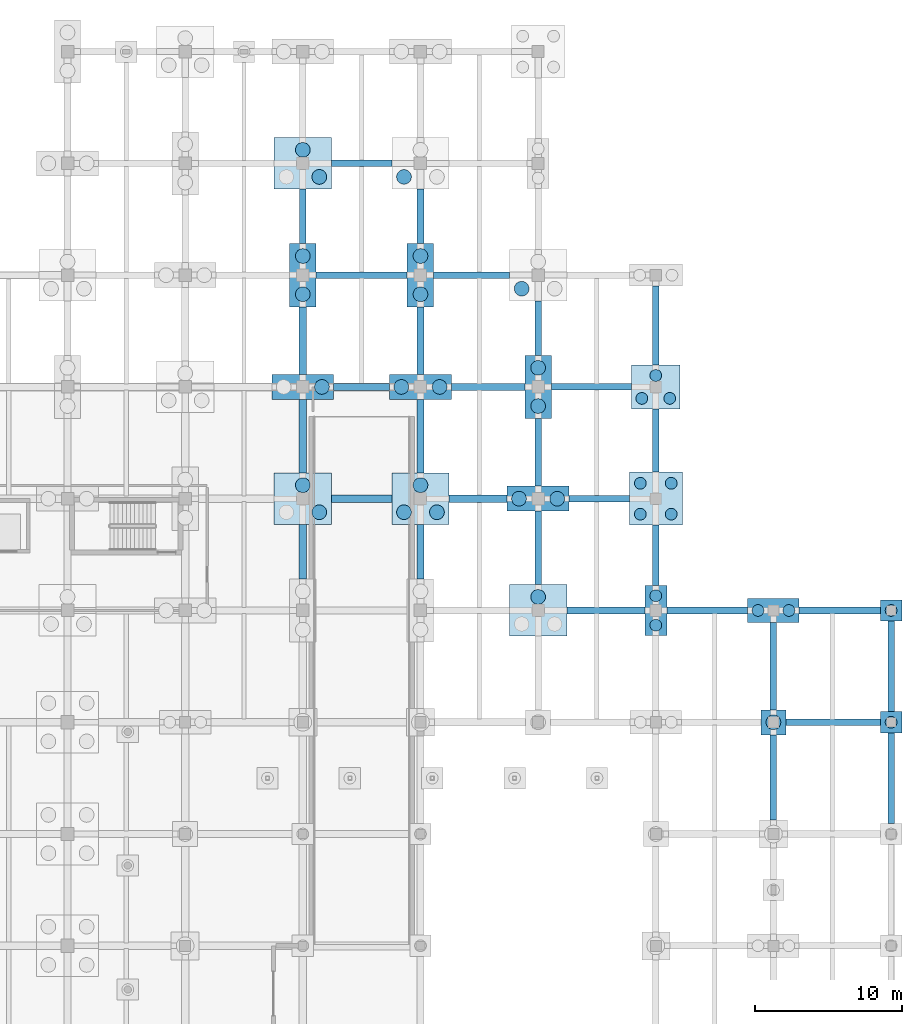
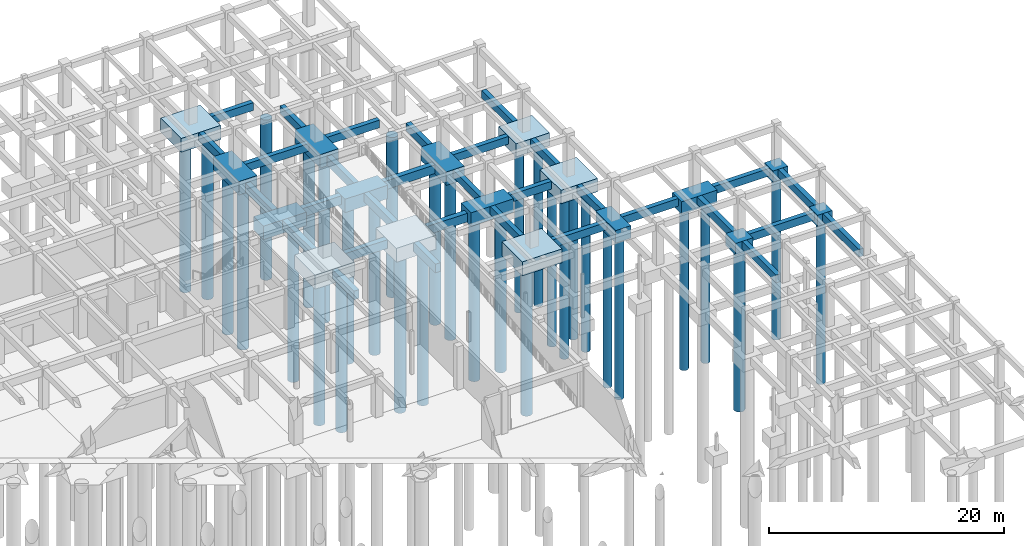
# One storey, part 15 of 49: 48 footings, 35 piles.
"""IFC4 building model written with IfcOpenShell, lengths in metres."""

from ifc_helpers import new_model, si_unit, direction, frame, origin, origin_2d, place, context, subcontext, project, spatial, rectangle, circle, extrude, material, layer, layer_set, material_profile, profile_set, type_object, element, save


model = new_model("IFC4")

# Units and contexts
model_context = context("Model", 3, precision=1e-05, world=origin(), true_north=direction((0.0, 1.0)))
body_context = subcontext(model_context, "Body", "Model", "MODEL_VIEW")
ifc_project = project(units=[si_unit("LENGTHUNIT", "METRE"), si_unit("AREAUNIT", "SQUARE_METRE"), si_unit("VOLUMEUNIT", "CUBIC_METRE"), si_unit("PLANEANGLEUNIT", "RADIAN"), si_unit("MASSUNIT", "GRAM", prefix="KILO")], contexts=[model_context])

# Site, building, storey
site_placement = place(None, origin())
site = spatial("IfcSite", under=ifc_project, at=site_placement, CompositionType="ELEMENT")
building_placement = place(site_placement, origin())
building = spatial("IfcBuilding", under=site, at=building_placement, Name="Zantavel Square City Hall", CompositionType="ELEMENT")
storey_placement = place(building_placement, frame((0.0, 0.0, -4.5)))
storey = spatial("IfcBuildingStorey", under=building, at=storey_placement, Name="B1", CompositionType="ELEMENT", Elevation=-4.5)

# Piles
ifc_material_1 = material(Name="Concrete C35/45", Category="concrete")
ifc_material_profile_1 = material_profile(ifc_material_1, circle(Radius=0.5, at=origin_2d()), Name="PILE D1000")
ifc_profile_set_1 = profile_set([ifc_material_profile_1], Name="Concrete C35/45")
pile_type_1 = type_object("IfcPileType", Name="Bored Pile D1000 Concrete C35/45", PredefinedType="BORED", material=ifc_profile_set_1)
for number, where, z_axis, x_axis, name in (
    (1, (129.1201171875, 82.679931640625, -1.75), (0.0, 0.0, -1.0), (1.0, 0.0, 0.0), "Bored Pile FDN-PL-1280-0836-2"),
    (2, (128.0, 84.52001953125, -1.75), (0.0, 0.0, -1.0), (1.0, 0.0, 0.0), "Bored Pile FDN-PL-1280-0836-3"),
):
    element("IfcPile", number, at=place(storey_placement, frame(where, z_axis=z_axis, x_axis=x_axis)), inside=storey, type_object=pile_type_1, Name=name, PredefinedType="BORED", context=body_context, shape_type="SweptSolid", body=[
        extrude(circle(Radius=0.5, at=origin_2d()), origin(), (0.0, 0.0, 1.0), 16.25),
    ])
pile_1_placement = place(storey_placement, frame((129.300048828125, 91.199951171875, -1.699951171875), z_axis=(0.0, 0.0, -1.0), x_axis=(1.0, 0.0, 0.0)))
element("IfcPile", 3, at=pile_1_placement, inside=storey, type_object=pile_type_1, Name="Bored Pile FDN-PL-1280-0912-2", PredefinedType="BORED", context=body_context, shape_type="SweptSolid", body=[
    extrude(circle(Radius=0.5, at=origin_2d()), origin(), (0.0, 0.0, 1.0), 16.300048828125),
])
for number, where, z_axis, x_axis, name in (
    (4, (128.0, 97.5, -1.300048828125), (0.0, 0.0, -1.0), (1.0, 0.0, 0.0), "Bored Pile FDN-PL-1280-0988-1"),
    (5, (128.0, 100.10009765625, -1.300048828125), (0.0, 0.0, -1.0), (1.0, 0.0, 0.0), "Bored Pile FDN-PL-1280-0988-2"),
):
    element("IfcPile", number, at=place(storey_placement, frame(where, z_axis=z_axis, x_axis=x_axis)), inside=storey, type_object=pile_type_1, Name=name, PredefinedType="BORED", context=body_context, shape_type="SweptSolid", body=[
        extrude(circle(Radius=0.5, at=origin_2d()), origin(), (0.0, 0.0, 1.0), 16.699951171875),
    ])
for number, where, z_axis, x_axis, name in (
    (6, (129.1201171875, 105.47998046875, -1.35009765625), (0.0, 0.0, -1.0), (1.0, 0.0, 0.0), "Bored Pile FDN-PL-1280-1064-2"),
    (7, (128.0, 107.320068359375, -1.35009765625), (0.0, 0.0, -1.0), (1.0, 0.0, 0.0), "Bored Pile FDN-PL-1280-1064-3"),
):
    element("IfcPile", number, at=place(storey_placement, frame(where, z_axis=z_axis, x_axis=x_axis)), inside=storey, type_object=pile_type_1, Name=name, PredefinedType="BORED", context=body_context, shape_type="SweptSolid", body=[
        extrude(circle(Radius=0.5, at=origin_2d()), origin(), (0.0, 0.0, 1.0), 16.64990234375),
    ])
for number, where, z_axis, x_axis, name in (
    (8, (134.8798828125, 82.679931640625, -1.75), (0.0, 0.0, -1.0), (1.0, 0.0, 0.0), "Bored Pile FDN-PL-1360-0836-1"),
    (9, (137.1201171875, 82.679931640625, -1.75), (0.0, 0.0, -1.0), (1.0, 0.0, 0.0), "Bored Pile FDN-PL-1360-0836-2"),
    (10, (136.0, 84.52001953125, -1.75), (0.0, 0.0, -1.0), (1.0, 0.0, 0.0), "Bored Pile FDN-PL-1360-0836-3"),
):
    element("IfcPile", number, at=place(storey_placement, frame(where, z_axis=z_axis, x_axis=x_axis)), inside=storey, type_object=pile_type_1, Name=name, PredefinedType="BORED", context=body_context, shape_type="SweptSolid", body=[
        extrude(circle(Radius=0.5, at=origin_2d()), origin(), (0.0, 0.0, 1.0), 16.25),
    ])
for number, where, z_axis, x_axis, name in (
    (11, (134.699951171875, 91.199951171875, -1.699951171875), (0.0, 0.0, -1.0), (1.0, 0.0, 0.0), "Bored Pile FDN-PL-1360-0912-1"),
    (12, (137.300048828125, 91.199951171875, -1.699951171875), (0.0, 0.0, -1.0), (1.0, 0.0, 0.0), "Bored Pile FDN-PL-1360-0912-2"),
):
    element("IfcPile", number, at=place(storey_placement, frame(where, z_axis=z_axis, x_axis=x_axis)), inside=storey, type_object=pile_type_1, Name=name, PredefinedType="BORED", context=body_context, shape_type="SweptSolid", body=[
        extrude(circle(Radius=0.5, at=origin_2d()), origin(), (0.0, 0.0, 1.0), 16.300048828125),
    ])
for number, where, z_axis, x_axis, name in (
    (13, (136.0, 97.5, -1.300048828125), (0.0, 0.0, -1.0), (1.0, 0.0, 0.0), "Bored Pile FDN-PL-1360-0988-1"),
    (14, (136.0, 100.10009765625, -1.300048828125), (0.0, 0.0, -1.0), (1.0, 0.0, 0.0), "Bored Pile FDN-PL-1360-0988-2"),
):
    element("IfcPile", number, at=place(storey_placement, frame(where, z_axis=z_axis, x_axis=x_axis)), inside=storey, type_object=pile_type_1, Name=name, PredefinedType="BORED", context=body_context, shape_type="SweptSolid", body=[
        extrude(circle(Radius=0.5, at=origin_2d()), origin(), (0.0, 0.0, 1.0), 16.699951171875),
    ])
for number, where, z_axis, x_axis, name in (
    (15, (134.8798828125, 105.47998046875, -1.35009765625), (0.0, 0.0, -1.0), (1.0, 0.0, 0.0), "Bored Pile FDN-PL-1360-1064-1"),
    (16, (144.0, 76.919921875, -1.35009765625), (0.0, 0.0, -1.0), (1.0, 0.0, 0.0), "Bored Pile FDN-PL-1440-0760-3"),
):
    element("IfcPile", number, at=place(storey_placement, frame(where, z_axis=z_axis, x_axis=x_axis)), inside=storey, type_object=pile_type_1, Name=name, PredefinedType="BORED", context=body_context, shape_type="SweptSolid", body=[
        extrude(circle(Radius=0.5, at=origin_2d()), origin(), (0.0, 0.0, 1.0), 16.64990234375),
    ])
for number, where, z_axis, x_axis, name in (
    (17, (142.699951171875, 83.60009765625, -1.300048828125), (0.0, 0.0, -1.0), (1.0, 0.0, 0.0), "Bored Pile FDN-PL-1440-0836-1"),
    (18, (145.300048828125, 83.60009765625, -1.300048828125), (0.0, 0.0, -1.0), (1.0, 0.0, 0.0), "Bored Pile FDN-PL-1440-0836-2"),
    (19, (144.0, 89.89990234375, -1.300048828125), (0.0, 0.0, -1.0), (1.0, 0.0, 0.0), "Bored Pile FDN-PL-1440-0912-1"),
    (20, (144.0, 92.5, -1.300048828125), (0.0, 0.0, -1.0), (1.0, 0.0, 0.0), "Bored Pile FDN-PL-1440-0912-2"),
):
    element("IfcPile", number, at=place(storey_placement, frame(where, z_axis=z_axis, x_axis=x_axis)), inside=storey, type_object=pile_type_1, Name=name, PredefinedType="BORED", context=body_context, shape_type="SweptSolid", body=[
        extrude(circle(Radius=0.5, at=origin_2d()), origin(), (0.0, 0.0, 1.0), 16.699951171875),
    ])
pile_2_placement = place(storey_placement, frame((142.8798828125, 97.8798828125, -1.35009765625), z_axis=(0.0, 0.0, -1.0), x_axis=(1.0, 0.0, 0.0)))
element("IfcPile", 21, at=pile_2_placement, inside=storey, type_object=pile_type_1, Name="Bored Pile FDN-PL-1440-0988-1", PredefinedType="BORED", context=body_context, shape_type="SweptSolid", body=[
    extrude(circle(Radius=0.5, at=origin_2d()), origin(), (0.0, 0.0, 1.0), 16.64990234375),
])
pile_3_placement = place(storey_placement, frame((160.0, 68.39990234375, -1.14990234375), z_axis=(0.0, 0.0, -1.0), x_axis=(1.0, 0.0, 0.0)))
element("IfcPile", 22, at=pile_3_placement, inside=storey, type_object=pile_type_1, Name="Bored Pile FDN-PL-1600-0684-1", PredefinedType="BORED", context=body_context, shape_type="SweptSolid", body=[
    extrude(circle(Radius=0.5, at=origin_2d()), origin(), (0.0, 0.0, 1.0), 16.85009765625),
])
ifc_material_profile_2 = material_profile(ifc_material_1, circle(Radius=0.39990234375, at=origin_2d()), Name="PILE D800")
ifc_profile_set_2 = profile_set([ifc_material_profile_2], Name="Concrete C35/45")
pile_type_2 = type_object("IfcPileType", Name="Bored Pile D800 Concrete C35/45", PredefinedType="BORED", material=ifc_profile_set_2)
for number, where, z_axis, x_axis, name in (
    (23, (152.0, 75.0, -1.199951171875), (0.0, 0.0, -1.0), (1.0, 0.0, 0.0), "Bored Pile FDN-PL-1520-0760-1"),
    (24, (152.0, 77.0, -1.199951171875), (0.0, 0.0, -1.0), (1.0, 0.0, 0.0), "Bored Pile FDN-PL-1520-0760-2"),
):
    element("IfcPile", number, at=place(storey_placement, frame(where, z_axis=z_axis, x_axis=x_axis)), inside=storey, type_object=pile_type_2, Name=name, PredefinedType="BORED", context=body_context, shape_type="SweptSolid", body=[
        extrude(circle(Radius=0.39990234375, at=origin_2d()), origin(), (0.0, 0.0, 1.0), 16.800048828125),
    ])
for number, where, z_axis, x_axis, name in (
    (25, (150.949951171875, 82.550048828125, -1.300048828125), (0.0, 0.0, -1.0), (1.0, 0.0, 0.0), "Bored Pile FDN-PL-1520-0836-1"),
    (26, (153.050048828125, 82.550048828125, -1.300048828125), (0.0, 0.0, -1.0), (1.0, 0.0, 0.0), "Bored Pile FDN-PL-1520-0836-2"),
    (27, (150.949951171875, 84.64990234375, -1.300048828125), (0.0, 0.0, -1.0), (1.0, 0.0, 0.0), "Bored Pile FDN-PL-1520-0836-3"),
    (28, (153.050048828125, 84.64990234375, -1.300048828125), (0.0, 0.0, -1.0), (1.0, 0.0, 0.0), "Bored Pile FDN-PL-1520-0836-4"),
):
    element("IfcPile", number, at=place(storey_placement, frame(where, z_axis=z_axis, x_axis=x_axis)), inside=storey, type_object=pile_type_2, Name=name, PredefinedType="BORED", context=body_context, shape_type="SweptSolid", body=[
        extrude(circle(Radius=0.39990234375, at=origin_2d()), origin(), (0.0, 0.0, 1.0), 16.699951171875),
    ])
for number, where, z_axis, x_axis, name in (
    (29, (151.050048828125, 90.419921875, -1.25), (0.0, 0.0, -1.0), (1.0, 0.0, 0.0), "Bored Pile FDN-PL-1520-0912-1"),
    (30, (152.949951171875, 90.419921875, -1.25), (0.0, 0.0, -1.0), (1.0, 0.0, 0.0), "Bored Pile FDN-PL-1520-0912-2"),
    (31, (152.0, 91.97998046875, -1.25), (0.0, 0.0, -1.0), (1.0, 0.0, 0.0), "Bored Pile FDN-PL-1520-0912-3"),
):
    element("IfcPile", number, at=place(storey_placement, frame(where, z_axis=z_axis, x_axis=x_axis)), inside=storey, type_object=pile_type_2, Name=name, PredefinedType="BORED", context=body_context, shape_type="SweptSolid", body=[
        extrude(circle(Radius=0.39990234375, at=origin_2d()), origin(), (0.0, 0.0, 1.0), 16.75),
    ])
for number, where, z_axis, x_axis, name in (
    (32, (158.949951171875, 76.0, -1.199951171875), (0.0, 0.0, -1.0), (1.0, 0.0, 0.0), "Bored Pile FDN-PL-1600-0760-1"),
    (33, (161.050048828125, 76.0, -1.199951171875), (0.0, 0.0, -1.0), (1.0, 0.0, 0.0), "Bored Pile FDN-PL-1600-0760-2"),
):
    element("IfcPile", number, at=place(storey_placement, frame(where, z_axis=z_axis, x_axis=x_axis)), inside=storey, type_object=pile_type_2, Name=name, PredefinedType="BORED", context=body_context, shape_type="SweptSolid", body=[
        extrude(circle(Radius=0.39990234375, at=origin_2d()), origin(), (0.0, 0.0, 1.0), 16.800048828125),
    ])
for number, where, z_axis, x_axis, name in (
    (34, (168.0, 68.39990234375, -1.10009765625), (0.0, 0.0, -1.0), (1.0, 0.0, 0.0), "Bored Pile FDN-PL-1680-0684-1"),
    (35, (168.0, 76.0, -1.10009765625), (0.0, 0.0, -1.0), (1.0, 0.0, 0.0), "Bored Pile FDN-PL-1680-0760-1"),
):
    element("IfcPile", number, at=place(storey_placement, frame(where, z_axis=z_axis, x_axis=x_axis)), inside=storey, type_object=pile_type_2, Name=name, PredefinedType="BORED", context=body_context, shape_type="SweptSolid", body=[
        extrude(circle(Radius=0.39990234375, at=origin_2d()), origin(), (0.0, 0.0, 1.0), 16.89990234375),
    ])

# Footings
ifc_material_profile_3 = material_profile(ifc_material_1, rectangle(XDim=0.449951171875, YDim=0.800048828125, at=origin_2d()), Name="RC 450x800")
ifc_profile_set_3 = profile_set([ifc_material_profile_3], Name="Concrete C35/45")
footing_type_1 = type_object("IfcFootingType", Name="Courtyard Grade Tie Beam 450x800 C35/45", PredefinedType="FOOTING_BEAM", material=ifc_profile_set_3)
footing_1_placement = place(storey_placement, frame((128.89990234375, 98.800048828125, -0.39990234375), z_axis=(1.0, 0.0, 0.0), x_axis=(0.0, 1.0, 0.0)))
element("IfcFooting", 36, at=footing_1_placement, inside=storey, type_object=footing_type_1, Name="Grade Tie Beam FDN-GTBX-1280-0988", PredefinedType="FOOTING_BEAM", context=body_context, shape_type="SweptSolid", body=[
    extrude(rectangle(XDim=0.449951171875, YDim=0.800048828125, at=origin_2d()), origin(), (0.0, 0.0, 1.0), 6.2001953125),
])
footing_2_placement = place(storey_placement, frame((128.0, 100.949951171875, -0.39990234375), z_axis=(0.0, 1.0, 0.0), x_axis=(-1.0, 0.0, 0.0)))
element("IfcFooting", 37, at=footing_2_placement, inside=storey, type_object=footing_type_1, Name="Grade Tie Beam FDN-GTBY-1280-0988", PredefinedType="FOOTING_BEAM", context=body_context, shape_type="SweptSolid", body=[
    extrude(rectangle(XDim=0.449951171875, YDim=0.800048828125, at=origin_2d()), origin(), (0.0, 0.0, 1.0), 3.699951171875),
])
footing_3_placement = place(storey_placement, frame((129.949951171875, 106.39990234375, -0.39990234375), z_axis=(1.0, 0.0, 0.0), x_axis=(0.0, 1.0, 0.0)))
element("IfcFooting", 38, at=footing_3_placement, inside=storey, type_object=footing_type_1, Name="Grade Tie Beam FDN-GTBX-1280-1064", PredefinedType="FOOTING_BEAM", context=body_context, shape_type="SweptSolid", body=[
    extrude(rectangle(XDim=0.449951171875, YDim=0.800048828125, at=origin_2d()), origin(), (0.0, 0.0, 1.0), 4.10009765625),
])
footing_4_placement = place(storey_placement, frame((136.89990234375, 98.800048828125, -0.39990234375), z_axis=(1.0, 0.0, 0.0), x_axis=(0.0, 1.0, 0.0)))
element("IfcFooting", 39, at=footing_4_placement, inside=storey, type_object=footing_type_1, Name="Grade Tie Beam FDN-GTBX-1360-0988", PredefinedType="FOOTING_BEAM", context=body_context, shape_type="SweptSolid", body=[
    extrude(rectangle(XDim=0.449951171875, YDim=0.800048828125, at=origin_2d()), origin(), (0.0, 0.0, 1.0), 5.150146484375),
])
footing_5_placement = place(storey_placement, frame((136.0, 100.949951171875, -0.39990234375), z_axis=(0.0, 1.0, 0.0), x_axis=(-1.0, 0.0, 0.0)))
element("IfcFooting", 40, at=footing_5_placement, inside=storey, type_object=footing_type_1, Name="Grade Tie Beam FDN-GTBY-1360-0988", PredefinedType="FOOTING_BEAM", context=body_context, shape_type="SweptSolid", body=[
    extrude(rectangle(XDim=0.449951171875, YDim=0.800048828125, at=origin_2d()), origin(), (0.0, 0.0, 1.0), 3.699951171875),
])
footing_6_placement = place(storey_placement, frame((145.949951171875, 76.0, -0.39990234375), z_axis=(1.0, 0.0, 0.0), x_axis=(0.0, 1.0, 0.0)))
element("IfcFooting", 41, at=footing_6_placement, inside=storey, type_object=footing_type_1, Name="Grade Tie Beam FDN-GTBX-1440-0760", PredefinedType="FOOTING_BEAM", context=body_context, shape_type="SweptSolid", body=[
    extrude(rectangle(XDim=0.449951171875, YDim=0.800048828125, at=origin_2d()), origin(), (0.0, 0.0, 1.0), 5.300048828125),
])
footing_7_placement = place(storey_placement, frame((144.0, 77.75, -0.39990234375), z_axis=(0.0, 1.0, 0.0), x_axis=(-1.0, 0.0, 0.0)))
element("IfcFooting", 42, at=footing_7_placement, inside=storey, type_object=footing_type_1, Name="Grade Tie Beam FDN-GTBY-1440-0760", PredefinedType="FOOTING_BEAM", context=body_context, shape_type="SweptSolid", body=[
    extrude(rectangle(XDim=0.449951171875, YDim=0.800048828125, at=origin_2d()), origin(), (0.0, 0.0, 1.0), 5.0),
])
footing_8_placement = place(storey_placement, frame((146.10009765625, 83.60009765625, -0.39990234375), z_axis=(1.0, 0.0, 0.0), x_axis=(0.0, 1.0, 0.0)))
element("IfcFooting", 43, at=footing_8_placement, inside=storey, type_object=footing_type_1, Name="Grade Tie Beam FDN-GTBX-1440-0836", PredefinedType="FOOTING_BEAM", context=body_context, shape_type="SweptSolid", body=[
    extrude(rectangle(XDim=0.449951171875, YDim=0.800048828125, at=origin_2d()), origin(), (0.0, 0.0, 1.0), 4.099853515625),
])
footing_9_placement = place(storey_placement, frame((144.0, 84.449951171875, -0.39990234375), z_axis=(0.0, 1.0, 0.0), x_axis=(-1.0, 0.0, 0.0)))
element("IfcFooting", 44, at=footing_9_placement, inside=storey, type_object=footing_type_1, Name="Grade Tie Beam FDN-GTBY-1440-0836", PredefinedType="FOOTING_BEAM", context=body_context, shape_type="SweptSolid", body=[
    extrude(rectangle(XDim=0.449951171875, YDim=0.800048828125, at=origin_2d()), origin(), (0.0, 0.0, 1.0), 4.60009765625),
])
footing_10_placement = place(storey_placement, frame((144.89990234375, 91.199951171875, -0.39990234375), z_axis=(1.0, 0.0, 0.0), x_axis=(0.0, 1.0, 0.0)))
element("IfcFooting", 45, at=footing_10_placement, inside=storey, type_object=footing_type_1, Name="Grade Tie Beam FDN-GTBX-1440-0912", PredefinedType="FOOTING_BEAM", context=body_context, shape_type="SweptSolid", body=[
    extrude(rectangle(XDim=0.449951171875, YDim=0.800048828125, at=origin_2d()), origin(), (0.0, 0.0, 1.0), 5.4501953125),
])
footing_11_placement = place(storey_placement, frame((144.0, 93.35009765625, -0.39990234375), z_axis=(0.0, 1.0, 0.0), x_axis=(-1.0, 0.0, 0.0)))
element("IfcFooting", 46, at=footing_11_placement, inside=storey, type_object=footing_type_1, Name="Grade Tie Beam FDN-GTBY-1440-0912", PredefinedType="FOOTING_BEAM", context=body_context, shape_type="SweptSolid", body=[
    extrude(rectangle(XDim=0.449951171875, YDim=0.800048828125, at=origin_2d()), origin(), (0.0, 0.0, 1.0), 3.699951171875),
])
footing_12_placement = place(storey_placement, frame((152.75, 76.0, -0.39990234375), z_axis=(1.0, 0.0, 0.0), x_axis=(0.0, 1.0, 0.0)))
element("IfcFooting", 47, at=footing_12_placement, inside=storey, type_object=footing_type_1, Name="Grade Tie Beam FDN-GTBX-1520-0760", PredefinedType="FOOTING_BEAM", context=body_context, shape_type="SweptSolid", body=[
    extrude(rectangle(XDim=0.449951171875, YDim=0.800048828125, at=origin_2d()), origin(), (0.0, 0.0, 1.0), 5.5),
])
footing_13_placement = place(storey_placement, frame((152.0, 77.699951171875, -0.39990234375), z_axis=(0.0, 1.0, 0.0), x_axis=(-1.0, 0.0, 0.0)))
element("IfcFooting", 48, at=footing_13_placement, inside=storey, type_object=footing_type_1, Name="Grade Tie Beam FDN-GTBY-1520-0760", PredefinedType="FOOTING_BEAM", context=body_context, shape_type="SweptSolid", body=[
    extrude(rectangle(XDim=0.449951171875, YDim=0.800048828125, at=origin_2d()), origin(), (0.0, 0.0, 1.0), 4.10009765625),
])
footing_14_placement = place(storey_placement, frame((152.0, 85.39990234375, -0.39990234375), z_axis=(0.0, 1.0, 0.0), x_axis=(-1.0, 0.0, 0.0)))
element("IfcFooting", 49, at=footing_14_placement, inside=storey, type_object=footing_type_1, Name="Grade Tie Beam FDN-GTBY-1520-0836", PredefinedType="FOOTING_BEAM", context=body_context, shape_type="SweptSolid", body=[
    extrude(rectangle(XDim=0.449951171875, YDim=0.800048828125, at=origin_2d()), origin(), (0.0, 0.0, 1.0), 4.300048828125),
])
footing_15_placement = place(storey_placement, frame((152.0, 92.699951171875, -0.39990234375), z_axis=(0.0, 1.0, 0.0), x_axis=(-1.0, 0.0, 0.0)))
element("IfcFooting", 50, at=footing_15_placement, inside=storey, type_object=footing_type_1, Name="Grade Tie Beam FDN-GTBY-1520-0912", PredefinedType="FOOTING_BEAM", context=body_context, shape_type="SweptSolid", body=[
    extrude(rectangle(XDim=0.449951171875, YDim=0.800048828125, at=origin_2d()), origin(), (0.0, 0.0, 1.0), 5.35009765625),
])
footing_16_placement = place(storey_placement, frame((160.0, 61.75, -0.39990234375), z_axis=(0.0, 1.0, 0.0), x_axis=(-1.0, 0.0, 0.0)))
element("IfcFooting", 51, at=footing_16_placement, inside=storey, type_object=footing_type_1, Name="Grade Tie Beam FDN-GTBY-1600-0608", PredefinedType="FOOTING_BEAM", context=body_context, shape_type="SweptSolid", body=[
    extrude(rectangle(XDim=0.449951171875, YDim=0.800048828125, at=origin_2d()), origin(), (0.0, 0.0, 1.0), 5.800048828125),
])
footing_17_placement = place(storey_placement, frame((160.85009765625, 68.39990234375, -0.39990234375), z_axis=(1.0, 0.0, 0.0), x_axis=(0.0, 1.0, 0.0)))
element("IfcFooting", 52, at=footing_17_placement, inside=storey, type_object=footing_type_1, Name="Grade Tie Beam FDN-GTBX-1600-0684", PredefinedType="FOOTING_BEAM", context=body_context, shape_type="SweptSolid", body=[
    extrude(rectangle(XDim=0.449951171875, YDim=0.800048828125, at=origin_2d()), origin(), (0.0, 0.0, 1.0), 6.4248046875),
])
footing_18_placement = place(storey_placement, frame((160.0, 69.25, -0.39990234375), z_axis=(0.0, 1.0, 0.0), x_axis=(-1.0, 0.0, 0.0)))
element("IfcFooting", 53, at=footing_18_placement, inside=storey, type_object=footing_type_1, Name="Grade Tie Beam FDN-GTBY-1600-0684", PredefinedType="FOOTING_BEAM", context=body_context, shape_type="SweptSolid", body=[
    extrude(rectangle(XDim=0.449951171875, YDim=0.800048828125, at=origin_2d()), origin(), (0.0, 0.0, 1.0), 5.949951171875),
])
footing_19_placement = place(storey_placement, frame((161.75, 76.0, -0.39990234375), z_axis=(1.0, 0.0, 0.0), x_axis=(0.0, 1.0, 0.0)))
element("IfcFooting", 54, at=footing_19_placement, inside=storey, type_object=footing_type_1, Name="Grade Tie Beam FDN-GTBX-1600-0760", PredefinedType="FOOTING_BEAM", context=body_context, shape_type="SweptSolid", body=[
    extrude(rectangle(XDim=0.449951171875, YDim=0.800048828125, at=origin_2d()), origin(), (0.0, 0.0, 1.0), 5.52490234375),
])
footing_20_placement = place(storey_placement, frame((168.0, 61.52490234375, -0.39990234375), z_axis=(0.0, 1.0, 0.0), x_axis=(-1.0, 0.0, 0.0)))
element("IfcFooting", 55, at=footing_20_placement, inside=storey, type_object=footing_type_1, Name="Grade Tie Beam FDN-GTBY-1680-0608", PredefinedType="FOOTING_BEAM", context=body_context, shape_type="SweptSolid", body=[
    extrude(rectangle(XDim=0.449951171875, YDim=0.800048828125, at=origin_2d()), origin(), (0.0, 0.0, 1.0), 6.150146484375),
])
footing_21_placement = place(storey_placement, frame((168.0, 69.125, -0.39990234375), z_axis=(0.0, 1.0, 0.0), x_axis=(-1.0, 0.0, 0.0)))
element("IfcFooting", 56, at=footing_21_placement, inside=storey, type_object=footing_type_1, Name="Grade Tie Beam FDN-GTBY-1680-0684", PredefinedType="FOOTING_BEAM", context=body_context, shape_type="SweptSolid", body=[
    extrude(rectangle(XDim=0.449951171875, YDim=0.800048828125, at=origin_2d()), origin(), (0.0, 0.0, 1.0), 6.14990234375),
])
ifc_material_profile_4 = material_profile(ifc_material_1, rectangle(XDim=0.5, YDim=0.89990234375, at=origin_2d()), Name="RC 500x900")
ifc_profile_set_4 = profile_set([ifc_material_profile_4], Name="Concrete C35/45")
footing_type_2 = type_object("IfcFootingType", Name="Grade Tie Beam 500x900 Concrete C35/45", PredefinedType="FOOTING_BEAM", material=ifc_profile_set_4)
footing_22_placement = place(storey_placement, frame((128.0, 78.14990234375, -0.85009765625), z_axis=(0.0, 1.0, 0.0), x_axis=(-1.0, 0.0, 0.0)))
element("IfcFooting", 57, at=footing_22_placement, inside=storey, type_object=footing_type_2, Name="Grade Tie Beam FDN-GTBY-1280-0760", PredefinedType="FOOTING_BEAM", context=body_context, shape_type="SweptSolid", body=[
    extrude(rectangle(XDim=0.5, YDim=0.89990234375, at=origin_2d()), origin(), (0.0, 0.0, 1.0), 3.7001953125),
])
footing_23_placement = place(storey_placement, frame((129.949951171875, 83.60009765625, -0.85009765625), z_axis=(1.0, 0.0, 0.0), x_axis=(0.0, 1.0, 0.0)))
element("IfcFooting", 58, at=footing_23_placement, inside=storey, type_object=footing_type_2, Name="Grade Tie Beam FDN-GTBX-1280-0836", PredefinedType="FOOTING_BEAM", context=body_context, shape_type="SweptSolid", body=[
    extrude(rectangle(XDim=0.5, YDim=0.89990234375, at=origin_2d()), origin(), (0.0, 0.0, 1.0), 4.10009765625),
])
footing_24_placement = place(storey_placement, frame((128.0, 85.35009765625, -0.85009765625), z_axis=(0.0, 1.0, 0.0), x_axis=(-1.0, 0.0, 0.0)))
element("IfcFooting", 59, at=footing_24_placement, inside=storey, type_object=footing_type_2, Name="Grade Tie Beam FDN-GTBY-1280-0836", PredefinedType="FOOTING_BEAM", context=body_context, shape_type="SweptSolid", body=[
    extrude(rectangle(XDim=0.5, YDim=0.89990234375, at=origin_2d()), origin(), (0.0, 0.0, 1.0), 5.0),
])
footing_25_placement = place(storey_placement, frame((130.10009765625, 91.199951171875, -0.85009765625), z_axis=(1.0, 0.0, 0.0), x_axis=(0.0, 1.0, 0.0)))
element("IfcFooting", 60, at=footing_25_placement, inside=storey, type_object=footing_type_2, Name="Grade Tie Beam FDN-GTBX-1280-0912", PredefinedType="FOOTING_BEAM", context=body_context, shape_type="SweptSolid", body=[
    extrude(rectangle(XDim=0.5, YDim=0.89990234375, at=origin_2d()), origin(), (0.0, 0.0, 1.0), 3.7998046875),
])
footing_26_placement = place(storey_placement, frame((128.0, 92.050048828125, -0.85009765625), z_axis=(0.0, 1.0, 0.0), x_axis=(-1.0, 0.0, 0.0)))
element("IfcFooting", 61, at=footing_26_placement, inside=storey, type_object=footing_type_2, Name="Grade Tie Beam FDN-GTBY-1280-0912", PredefinedType="FOOTING_BEAM", context=body_context, shape_type="SweptSolid", body=[
    extrude(rectangle(XDim=0.5, YDim=0.89990234375, at=origin_2d()), origin(), (0.0, 0.0, 1.0), 4.599853515625),
])
footing_27_placement = place(storey_placement, frame((136.0, 78.14990234375, -0.85009765625), z_axis=(0.0, 1.0, 0.0), x_axis=(-1.0, 0.0, 0.0)))
element("IfcFooting", 62, at=footing_27_placement, inside=storey, type_object=footing_type_2, Name="Grade Tie Beam FDN-GTBY-1360-0760", PredefinedType="FOOTING_BEAM", context=body_context, shape_type="SweptSolid", body=[
    extrude(rectangle(XDim=0.5, YDim=0.89990234375, at=origin_2d()), origin(), (0.0, 0.0, 1.0), 3.7001953125),
])
footing_28_placement = place(storey_placement, frame((137.949951171875, 83.60009765625, -0.85009765625), z_axis=(1.0, 0.0, 0.0), x_axis=(0.0, 1.0, 0.0)))
element("IfcFooting", 63, at=footing_28_placement, inside=storey, type_object=footing_type_2, Name="Grade Tie Beam FDN-GTBX-1360-0836", PredefinedType="FOOTING_BEAM", context=body_context, shape_type="SweptSolid", body=[
    extrude(rectangle(XDim=0.5, YDim=0.89990234375, at=origin_2d()), origin(), (0.0, 0.0, 1.0), 3.949951171875),
])
for number, where, z_axis, x_axis, name in (
    (64, (136.0, 85.35009765625, -0.85009765625), (0.0, 1.0, 0.0), (-1.0, 0.0, 0.0), "Grade Tie Beam FDN-GTBY-1360-0836"),
    (65, (138.10009765625, 91.199951171875, -0.85009765625), (1.0, 0.0, 0.0), (0.0, 1.0, 0.0), "Grade Tie Beam FDN-GTBX-1360-0912"),
):
    element("IfcFooting", number, at=place(storey_placement, frame(where, z_axis=z_axis, x_axis=x_axis)), inside=storey, type_object=footing_type_2, Name=name, PredefinedType="FOOTING_BEAM", context=body_context, shape_type="SweptSolid", body=[
        extrude(rectangle(XDim=0.5, YDim=0.89990234375, at=origin_2d()), origin(), (0.0, 0.0, 1.0), 5.0),
    ])
footing_29_placement = place(storey_placement, frame((136.0, 92.050048828125, -0.85009765625), z_axis=(0.0, 1.0, 0.0), x_axis=(-1.0, 0.0, 0.0)))
element("IfcFooting", 66, at=footing_29_placement, inside=storey, type_object=footing_type_2, Name="Grade Tie Beam FDN-GTBY-1360-0912", PredefinedType="FOOTING_BEAM", context=body_context, shape_type="SweptSolid", body=[
    extrude(rectangle(XDim=0.5, YDim=0.89990234375, at=origin_2d()), origin(), (0.0, 0.0, 1.0), 4.599853515625),
])
ifc_material_2 = material(Name="Concrete C40/50", Category="concrete")
ifc_layer_1 = layer(ifc_material_2, 1.25, Name="Concrete C40/50")
ifc_layer_set_1 = layer_set([ifc_layer_1], Name="Concrete C40/50")
footing_type_3 = type_object("IfcFootingType", Name="Pile Cap 1P-D1000 1700x1700x1250", PredefinedType="PILE_CAP", material=ifc_layer_set_1)
footing_30_placement = place(storey_placement, frame((160.0, 68.39990234375, -1.25), z_axis=(0.0, 0.0, 1.0), x_axis=(1.0, 0.0, 0.0)))
element("IfcFooting", 67, at=footing_30_placement, inside=storey, type_object=footing_type_3, Name="Pile Cap FDN-PC-1600-0684", PredefinedType="PILE_CAP", context=body_context, shape_type="SweptSolid", body=[
    extrude(rectangle(XDim=1.699951171875, YDim=1.699951171875, at=origin_2d()), origin(), (0.0, 0.0, 1.0), 1.25),
])
ifc_layer_2 = layer(ifc_material_2, 1.199951171875, Name="Concrete C40/50")
ifc_layer_set_2 = layer_set([ifc_layer_2], Name="Concrete C40/50")
footing_type_4 = type_object("IfcFootingType", Name="Pile Cap 1P-D800 1450x1450x1200", PredefinedType="PILE_CAP", material=ifc_layer_set_2)
for number, where, z_axis, x_axis, name in (
    (68, (168.0, 68.39990234375, -1.2001953125), (0.0, 0.0, 1.0), (1.0, 0.0, 0.0), "Pile Cap FDN-PC-1680-0684"),
    (69, (168.0, 76.0, -1.2001953125), (0.0, 0.0, 1.0), (1.0, 0.0, 0.0), "Pile Cap FDN-PC-1680-0760"),
):
    element("IfcFooting", number, at=place(storey_placement, frame(where, z_axis=z_axis, x_axis=x_axis)), inside=storey, type_object=footing_type_4, Name=name, PredefinedType="PILE_CAP", context=body_context, shape_type="SweptSolid", body=[
        extrude(rectangle(XDim=1.449951171875, YDim=1.449951171875, at=origin_2d()), origin(), (0.0, 0.0, 1.0), 1.199951171875),
    ])
ifc_layer_3 = layer(ifc_material_2, 1.39990234375, Name="Concrete C40/50")
ifc_layer_set_3 = layer_set([ifc_layer_3], Name="Concrete C40/50")
footing_type_5 = type_object("IfcFootingType", Name="Pile Cap 2P-D1000X 4200x1700x1400", PredefinedType="PILE_CAP", material=ifc_layer_set_3)
for number, where, z_axis, x_axis, name in (
    (70, (128.0, 91.199951171875, -1.800048828125), (0.0, 0.0, 1.0), (1.0, 0.0, 0.0), "Pile Cap FDN-PC-1280-0912"),
    (71, (136.0, 91.199951171875, -1.800048828125), (0.0, 0.0, 1.0), (1.0, 0.0, 0.0), "Pile Cap FDN-PC-1360-0912"),
    (72, (144.0, 83.60009765625, -1.39990234375), (0.0, 0.0, 1.0), (1.0, 0.0, 0.0), "Pile Cap FDN-PC-1440-0836"),
):
    element("IfcFooting", number, at=place(storey_placement, frame(where, z_axis=z_axis, x_axis=x_axis)), inside=storey, type_object=footing_type_5, Name=name, PredefinedType="PILE_CAP", context=body_context, shape_type="SweptSolid", body=[
        extrude(rectangle(XDim=4.199951171875, YDim=1.699951171875, at=origin_2d()), origin(), (0.0, 0.0, 1.0), 1.39990234375),
    ])
ifc_layer_4 = layer(ifc_material_2, 1.39990234375, Name="Concrete C40/50")
ifc_layer_set_4 = layer_set([ifc_layer_4], Name="Concrete C40/50")
footing_type_6 = type_object("IfcFootingType", Name="Pile Cap 2P-D1000Y 1800x4300x1400", PredefinedType="PILE_CAP", material=ifc_layer_set_4)
for number, where, z_axis, x_axis, name in (
    (73, (128.0, 98.800048828125, -1.39990234375), (0.0, 0.0, 1.0), (1.0, 0.0, 0.0), "Pile Cap FDN-PC-1280-0988"),
    (74, (136.0, 98.800048828125, -1.39990234375), (0.0, 0.0, 1.0), (1.0, 0.0, 0.0), "Pile Cap FDN-PC-1360-0988"),
    (75, (144.0, 91.199951171875, -1.39990234375), (0.0, 0.0, 1.0), (1.0, 0.0, 0.0), "Pile Cap FDN-PC-1440-0912"),
):
    element("IfcFooting", number, at=place(storey_placement, frame(where, z_axis=z_axis, x_axis=x_axis)), inside=storey, type_object=footing_type_6, Name=name, PredefinedType="PILE_CAP", context=body_context, shape_type="SweptSolid", body=[
        extrude(rectangle(XDim=1.800048828125, YDim=4.300048828125, at=origin_2d()), origin(), (0.0, 0.0, 1.0), 1.39990234375),
    ])
ifc_layer_5 = layer(ifc_material_2, 1.300048828125, Name="Concrete C40/50")
ifc_layer_set_5 = layer_set([ifc_layer_5], Name="Concrete C40/50")
footing_type_7 = type_object("IfcFootingType", Name="Pile Cap 2P-D800C 3500x1600x1300", PredefinedType="PILE_CAP", material=ifc_layer_set_5)
footing_31_placement = place(storey_placement, frame((160.0, 76.0, -1.2998046875), z_axis=(0.0, 0.0, 1.0), x_axis=(1.0, 0.0, 0.0)))
element("IfcFooting", 76, at=footing_31_placement, inside=storey, type_object=footing_type_7, Name="Pile Cap FDN-PC-1600-0760", PredefinedType="PILE_CAP", context=body_context, shape_type="SweptSolid", body=[
    extrude(rectangle(XDim=3.5, YDim=1.60009765625, at=origin_2d()), origin(), (0.0, 0.0, 1.0), 1.300048828125),
])
ifc_layer_6 = layer(ifc_material_2, 1.300048828125, Name="Concrete C40/50")
ifc_layer_set_6 = layer_set([ifc_layer_6], Name="Concrete C40/50")
footing_type_8 = type_object("IfcFootingType", Name="Pile Cap 2P-D800Y 1500x3400x1300", PredefinedType="PILE_CAP", material=ifc_layer_set_6)
footing_32_placement = place(storey_placement, frame((152.0, 76.0, -1.2998046875), z_axis=(0.0, 0.0, 1.0), x_axis=(1.0, 0.0, 0.0)))
element("IfcFooting", 77, at=footing_32_placement, inside=storey, type_object=footing_type_8, Name="Pile Cap FDN-PC-1520-0760", PredefinedType="PILE_CAP", context=body_context, shape_type="SweptSolid", body=[
    extrude(rectangle(XDim=1.5, YDim=3.39990234375, at=origin_2d()), origin(), (0.0, 0.0, 1.0), 1.300048828125),
])
ifc_layer_7 = layer(ifc_material_2, 1.449951171875, Name="Concrete C40/50")
ifc_layer_set_7 = layer_set([ifc_layer_7], Name="Concrete C40/50")
footing_type_9 = type_object("IfcFootingType", Name="Pile Cap 3P-D1000 3900x3500x1450", PredefinedType="PILE_CAP", material=ifc_layer_set_7)
for number, where, z_axis, x_axis, name in (
    (78, (128.0, 83.60009765625, -1.85009765625), (0.0, 0.0, 1.0), (1.0, 0.0, 0.0), "Pile Cap FDN-PC-1280-0836"),
    (79, (128.0, 106.39990234375, -1.4501953125), (0.0, 0.0, 1.0), (1.0, 0.0, 0.0), "Pile Cap FDN-PC-1280-1064"),
    (80, (136.0, 83.60009765625, -1.85009765625), (0.0, 0.0, 1.0), (1.0, 0.0, 0.0), "Pile Cap FDN-PC-1360-0836"),
    (81, (144.0, 76.0, -1.4501953125), (0.0, 0.0, 1.0), (1.0, 0.0, 0.0), "Pile Cap FDN-PC-1440-0760"),
):
    element("IfcFooting", number, at=place(storey_placement, frame(where, z_axis=z_axis, x_axis=x_axis)), inside=storey, type_object=footing_type_9, Name=name, PredefinedType="PILE_CAP", context=body_context, shape_type="SweptSolid", body=[
        extrude(rectangle(XDim=3.89990234375, YDim=3.5, at=origin_2d()), origin(), (0.0, 0.0, 1.0), 1.449951171875),
    ])
ifc_layer_8 = layer(ifc_material_2, 1.35009765625, Name="Concrete C40/50")
ifc_layer_set_8 = layer_set([ifc_layer_8], Name="Concrete C40/50")
footing_type_10 = type_object("IfcFootingType", Name="Pile Cap 3P-D800 3300x3000x1350", PredefinedType="PILE_CAP", material=ifc_layer_set_8)
footing_33_placement = place(storey_placement, frame((152.0, 91.199951171875, -1.35009765625), z_axis=(0.0, 0.0, 1.0), x_axis=(1.0, 0.0, 0.0)))
element("IfcFooting", 82, at=footing_33_placement, inside=storey, type_object=footing_type_10, Name="Pile Cap FDN-PC-1520-0912", PredefinedType="PILE_CAP", context=body_context, shape_type="SweptSolid", body=[
    extrude(rectangle(XDim=3.300048828125, YDim=3.0, at=origin_2d()), origin(), (0.0, 0.0, 1.0), 1.35009765625),
])
ifc_layer_9 = layer(ifc_material_2, 1.39990234375, Name="Concrete C40/50")
ifc_layer_set_9 = layer_set([ifc_layer_9], Name="Concrete C40/50")
footing_type_11 = type_object("IfcFootingType", Name="Pile Cap 4P-D800 3600x3600x1400", PredefinedType="PILE_CAP", material=ifc_layer_set_9)
footing_34_placement = place(storey_placement, frame((152.0, 83.60009765625, -1.39990234375), z_axis=(0.0, 0.0, 1.0), x_axis=(1.0, 0.0, 0.0)))
element("IfcFooting", 83, at=footing_34_placement, inside=storey, type_object=footing_type_11, Name="Pile Cap FDN-PC-1520-0836", PredefinedType="PILE_CAP", context=body_context, shape_type="SweptSolid", body=[
    extrude(rectangle(XDim=3.60009765625, YDim=3.60009765625, at=origin_2d()), origin(), (0.0, 0.0, 1.0), 1.39990234375),
])

save(model, "model.ifc")
